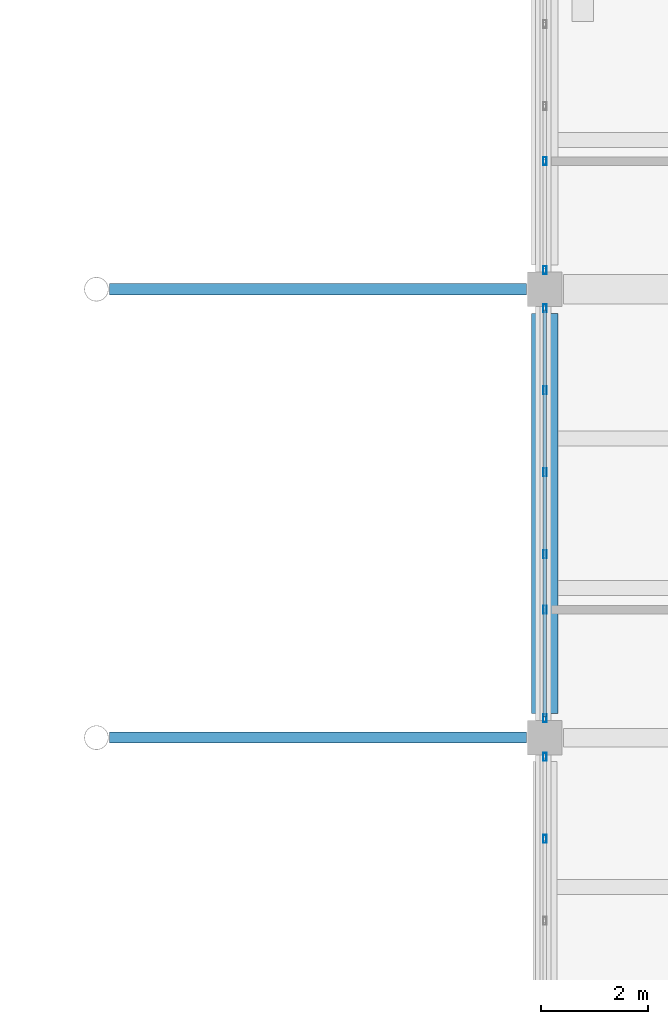
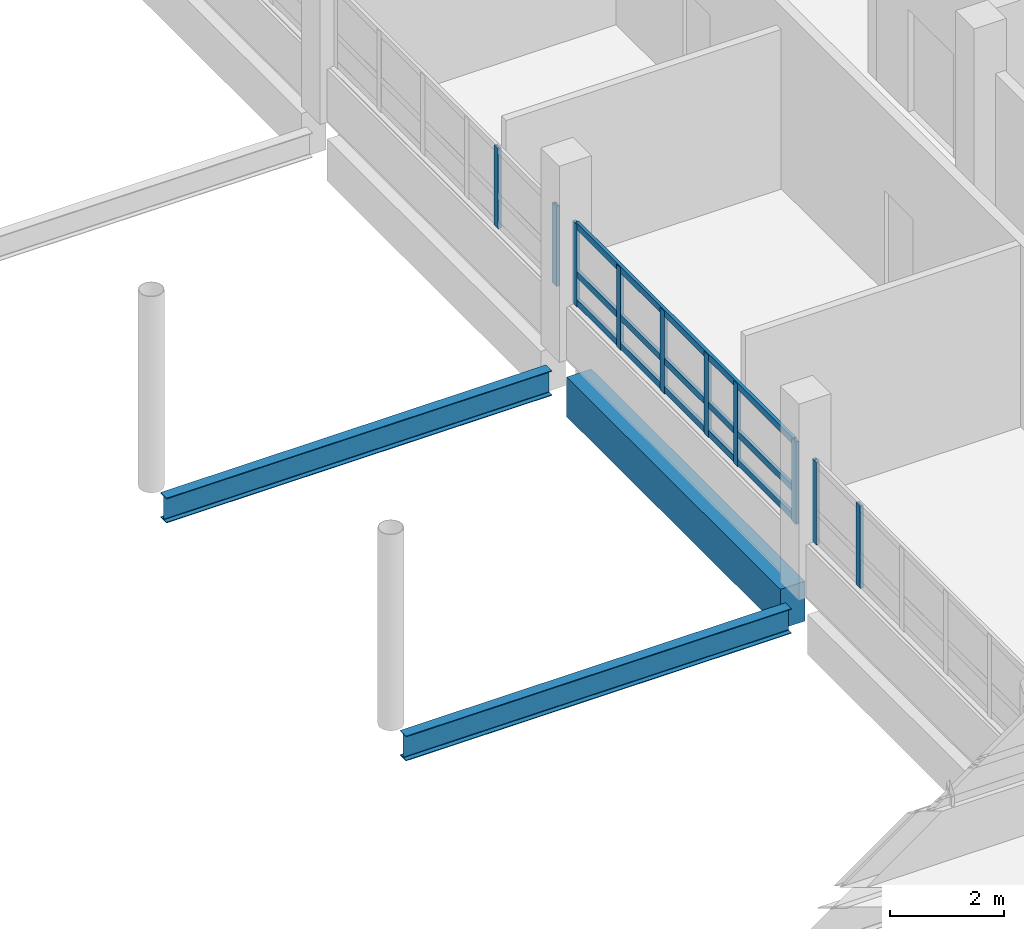
# One storey, part 28 of 101: 13 members, 3 beams, 3 elements without a shape of their own.
"""IFC4 building model written with IfcOpenShell, lengths in metres."""

from ifc_helpers import new_model, si_unit, direction, frame, origin, origin_2d, place, context, subcontext, project, spatial, rectangle, hollow_rectangle, i_section, extrude, material, layer, layer_set, material_profile, profile_set, type_object, element, aggregate, save


model = new_model("IFC4")

# Units and contexts
model_context = context("Model", 3, precision=1e-05, world=origin(), true_north=direction((0.0, 1.0)))
body_context = subcontext(model_context, "Body", "Model", "MODEL_VIEW")
ifc_project = project(units=[si_unit("LENGTHUNIT", "METRE"), si_unit("AREAUNIT", "SQUARE_METRE"), si_unit("VOLUMEUNIT", "CUBIC_METRE"), si_unit("PLANEANGLEUNIT", "RADIAN"), si_unit("MASSUNIT", "GRAM", prefix="KILO")], contexts=[model_context])

# Site, building, storey
site_placement = place(None, origin())
site = spatial("IfcSite", under=ifc_project, at=site_placement, CompositionType="ELEMENT")
building_placement = place(site_placement, origin())
building = spatial("IfcBuilding", under=site, at=building_placement, Name="Vireocrest Preparatory School", CompositionType="ELEMENT")
storey_placement = place(building_placement, frame((0.0, 0.0, 4.800048828125)))
storey = spatial("IfcBuildingStorey", under=building, at=storey_placement, Name="L01", CompositionType="ELEMENT", Elevation=4.800048828125)

# Curtain wall, members
ifc_material_1 = material(Name="Thermally broken aluminium EN AW-6063-T6", Category="aluminium")
ifc_layer = layer(ifc_material_1, 0.179931640625)
ifc_layer_set = layer_set([ifc_layer], Name="Thermally broken aluminium EN AW-6063-T6")
curtain_wall_type = type_object("IfcCurtainWallType", Name="Court Banded Curtain Wall 8400x3000", PredefinedType="USERDEFINED", material=ifc_layer_set)
curtain_wall_1_placement = place(storey_placement, origin())
curtain_wall_1 = element("IfcCurtainWall", 1, at=curtain_wall_1_placement, inside=storey, type_object=curtain_wall_type, Name="Curtain Wall CW02 CW_L01_CW02_0924_0273_060", ObjectType="CURTAIN WALL", PredefinedType="USERDEFINED")
ifc_material_profile_1 = material_profile(ifc_material_1, hollow_rectangle(XDim=0.06494140625, YDim=0.14990234375, WallThickness=0.00390625, at=origin_2d()), Name="ALU 65x150x4")
ifc_profile_set_1 = profile_set([ifc_material_profile_1], Name="Thermally broken aluminium EN AW-6063-T6")
member_type_1 = type_object("IfcMemberType", Name="CW Mullion 65x150x4", PredefinedType="MULLION", material=ifc_profile_set_1)
member_1_placement = place(storey_placement, frame((92.39990234375, 33.50390625, 1.14990234375), z_axis=(0.0, 0.0, 1.0), x_axis=(1.0, 0.0, 0.0)))
member_1 = element("IfcMember", 2, at=member_1_placement, type_object=member_type_1, Name="CW Mullion ML1 CW_L01_CW02_0924_0273_060-5", PredefinedType="MULLION", context=body_context, shape_type="SweptSolid", body=[
    extrude(hollow_rectangle(XDim=0.06494140625, YDim=0.14990234375, WallThickness=0.00390625, at=origin_2d()), origin(), (0.0, 0.0, 1.0), 1.76513671875),
])
member_2_placement = place(storey_placement, frame((92.39990234375, 35.0400390625, 1.14990234375), z_axis=(0.0, 0.0, 1.0), x_axis=(1.0, 0.0, 0.0)))
member_2 = element("IfcMember", 3, at=member_2_placement, type_object=member_type_1, Name="CW Mullion ML1 CW_L01_CW02_0924_0273_060-6", PredefinedType="MULLION", context=body_context, shape_type="SweptSolid", body=[
    extrude(hollow_rectangle(XDim=0.06494140625, YDim=0.14990234375, WallThickness=0.00390625, at=origin_2d()), origin(), (0.0, 0.0, 1.0), 1.76513671875),
])
aggregate(curtain_wall_1, [member_1, member_2])

curtain_wall_2_placement = place(storey_placement, origin())
curtain_wall_2 = element("IfcCurtainWall", 4, at=curtain_wall_2_placement, inside=storey, type_object=curtain_wall_type, Name="Curtain Wall CW02 CW_L01_CW02_0924_0357_060", ObjectType="CURTAIN WALL", PredefinedType="USERDEFINED")
member_3_placement = place(storey_placement, frame((92.39990234375, 35.760009765625, 1.14990234375), z_axis=(0.0, 0.0, 1.0), x_axis=(1.0, 0.0, 0.0)))
member_3 = element("IfcMember", 5, at=member_3_placement, type_object=member_type_1, Name="CW Mullion ML1 CW_L01_CW02_0924_0357_060-1", PredefinedType="MULLION", context=body_context, shape_type="SweptSolid", body=[
    extrude(hollow_rectangle(XDim=0.06494140625, YDim=0.14990234375, WallThickness=0.00390625, at=origin_2d()), origin(), (0.0, 0.0, 1.0), 1.76513671875),
])
member_4_placement = place(storey_placement, frame((92.39990234375, 37.800048828125, 1.14990234375), z_axis=(0.0, 0.0, 1.0), x_axis=(1.0, 0.0, 0.0)))
member_4 = element("IfcMember", 6, at=member_4_placement, type_object=member_type_1, Name="CW Mullion ML1 CW_L01_CW02_0924_0357_060-2", PredefinedType="MULLION", context=body_context, shape_type="SweptSolid", body=[
    extrude(hollow_rectangle(XDim=0.06494140625, YDim=0.14990234375, WallThickness=0.00390625, at=origin_2d()), origin(), (0.0, 0.0, 1.0), 1.76513671875),
])
member_5_placement = place(storey_placement, frame((92.39990234375, 38.83203125, 1.14990234375), z_axis=(0.0, 0.0, 1.0), x_axis=(1.0, 0.0, 0.0)))
member_5 = element("IfcMember", 7, at=member_5_placement, type_object=member_type_1, Name="CW Mullion ML1 CW_L01_CW02_0924_0357_060-3", PredefinedType="MULLION", context=body_context, shape_type="SweptSolid", body=[
    extrude(hollow_rectangle(XDim=0.06494140625, YDim=0.14990234375, WallThickness=0.00390625, at=origin_2d()), origin(), (0.0, 0.0, 1.0), 1.76513671875),
])
member_6_placement = place(storey_placement, frame((92.39990234375, 40.367919921875, 1.14990234375), z_axis=(0.0, 0.0, 1.0), x_axis=(1.0, 0.0, 0.0)))
member_6 = element("IfcMember", 8, at=member_6_placement, type_object=member_type_1, Name="CW Mullion ML1 CW_L01_CW02_0924_0357_060-4", PredefinedType="MULLION", context=body_context, shape_type="SweptSolid", body=[
    extrude(hollow_rectangle(XDim=0.06494140625, YDim=0.14990234375, WallThickness=0.00390625, at=origin_2d()), origin(), (0.0, 0.0, 1.0), 1.76513671875),
])
member_7_placement = place(storey_placement, frame((92.39990234375, 41.904052734375, 1.14990234375), z_axis=(0.0, 0.0, 1.0), x_axis=(1.0, 0.0, 0.0)))
member_7 = element("IfcMember", 9, at=member_7_placement, type_object=member_type_1, Name="CW Mullion ML1 CW_L01_CW02_0924_0357_060-5", PredefinedType="MULLION", context=body_context, shape_type="SweptSolid", body=[
    extrude(hollow_rectangle(XDim=0.06494140625, YDim=0.14990234375, WallThickness=0.00390625, at=origin_2d()), origin(), (0.0, 0.0, 1.0), 1.76513671875),
])
member_8_placement = place(storey_placement, frame((92.39990234375, 43.43994140625, 1.14990234375), z_axis=(0.0, 0.0, 1.0), x_axis=(1.0, 0.0, 0.0)))
member_8 = element("IfcMember", 10, at=member_8_placement, type_object=member_type_1, Name="CW Mullion ML1 CW_L01_CW02_0924_0357_060-6", PredefinedType="MULLION", context=body_context, shape_type="SweptSolid", body=[
    extrude(hollow_rectangle(XDim=0.06494140625, YDim=0.14990234375, WallThickness=0.00390625, at=origin_2d()), origin(), (0.0, 0.0, 1.0), 1.76513671875),
])

curtain_wall_3_placement = place(storey_placement, origin())
curtain_wall_3 = element("IfcCurtainWall", 11, at=curtain_wall_3_placement, inside=storey, type_object=curtain_wall_type, Name="Curtain Wall CW02 CW_L01_CW02_0924_0441_060", ObjectType="CURTAIN WALL", PredefinedType="USERDEFINED")
member_9_placement = place(storey_placement, frame((92.39990234375, 44.159912109375, 1.14990234375), z_axis=(0.0, 0.0, 1.0), x_axis=(1.0, 0.0, 0.0)))
member_9 = element("IfcMember", 12, at=member_9_placement, type_object=member_type_1, Name="CW Mullion ML1 CW_L01_CW02_0924_0441_060-1", PredefinedType="MULLION", context=body_context, shape_type="SweptSolid", body=[
    extrude(hollow_rectangle(XDim=0.06494140625, YDim=0.14990234375, WallThickness=0.00390625, at=origin_2d()), origin(), (0.0, 0.0, 1.0), 1.715087890625),
])
member_10_placement = place(storey_placement, frame((92.39990234375, 46.199951171875, 1.14990234375), z_axis=(0.0, 0.0, 1.0), x_axis=(1.0, 0.0, 0.0)))
member_10 = element("IfcMember", 13, at=member_10_placement, type_object=member_type_1, Name="CW Mullion ML1 CW_L01_CW02_0924_0441_060-2", PredefinedType="MULLION", context=body_context, shape_type="SweptSolid", body=[
    extrude(hollow_rectangle(XDim=0.06494140625, YDim=0.14990234375, WallThickness=0.00390625, at=origin_2d()), origin(), (0.0, 0.0, 1.0), 1.715087890625),
])
aggregate(curtain_wall_3, [member_9, member_10])

# Member
ifc_material_profile_2 = material_profile(ifc_material_1, hollow_rectangle(XDim=0.06494140625, YDim=0.139892578125, WallThickness=0.00390625, at=origin_2d()), Name="ALU 65x140x4")
ifc_profile_set_2 = profile_set([ifc_material_profile_2], Name="Thermally broken aluminium EN AW-6063-T6")
member_type_2 = type_object("IfcMemberType", Name="CW Transom 65x140x4", PredefinedType="USERDEFINED", material=ifc_profile_set_2)
member_11_placement = place(storey_placement, frame((92.39990234375, 35.784912109375, 1.244873046875), z_axis=(0.0, 1.0, 0.0), x_axis=(-1.0, 0.0, 0.0)))
member_11 = element("IfcMember", 14, at=member_11_placement, type_object=member_type_2, Name="CW Transom TR1 CW_L01_CW02_0924_0357_060-1", ObjectType="TRANSOM", PredefinedType="USERDEFINED", context=body_context, shape_type="SweptSolid", body=[
    extrude(hollow_rectangle(XDim=0.06494140625, YDim=0.139892578125, WallThickness=0.00390625, at=origin_2d()), origin(), (0.0, 0.0, 1.0), 7.630126953125),
])

member_12_placement = place(storey_placement, frame((92.39990234375, 35.784912109375, 1.849853515625), z_axis=(0.0, 1.0, 0.0), x_axis=(-1.0, 0.0, 0.0)))
member_12 = element("IfcMember", 15, at=member_12_placement, type_object=member_type_2, Name="CW Transom TR1 CW_L01_CW02_0924_0357_060-2", ObjectType="TRANSOM", PredefinedType="USERDEFINED", context=body_context, shape_type="SweptSolid", body=[
    extrude(hollow_rectangle(XDim=0.06494140625, YDim=0.139892578125, WallThickness=0.00390625, at=origin_2d()), origin(), (0.0, 0.0, 1.0), 7.630126953125),
])

member_13_placement = place(storey_placement, frame((92.39990234375, 35.784912109375, 2.875), z_axis=(0.0, 1.0, 0.0), x_axis=(-1.0, 0.0, 0.0)))
member_13 = element("IfcMember", 16, at=member_13_placement, type_object=member_type_2, Name="CW Transom TR1 CW_L01_CW02_0924_0357_060-3", ObjectType="TRANSOM", PredefinedType="USERDEFINED", context=body_context, shape_type="SweptSolid", body=[
    extrude(hollow_rectangle(XDim=0.06494140625, YDim=0.139892578125, WallThickness=0.00390625, at=origin_2d()), origin(), (0.0, 0.0, 1.0), 7.630126953125),
])

aggregate(curtain_wall_2, [member_3, member_4, member_5, member_6, member_7, member_8, member_11, member_12, member_13])

# Beams
ifc_material_2 = material(Name="Structural steel ASTM A992 Grade 50", Category="steel")
ifc_material_profile_3 = material_profile(ifc_material_2, i_section(OverallWidth=0.208984375, OverallDepth=0.532958984375, WebThickness=0.01025390625, FlangeThickness=0.015625, FilletRadius=0.014892578125, at=origin_2d()), Name="W21X62")
ifc_profile_set_3 = profile_set([ifc_material_profile_3], Name="Structural steel ASTM A992 Grade 50")
beam_type_1 = type_object("IfcBeamType", Name="Court Tie Girder W21X62", PredefinedType="BEAM", material=ifc_profile_set_3)
for number, where, z_axis, x_axis, name in (
    (17, (84.2490234375, 35.39990234375, -0.566650390625), (1.0, 0.0, 0.0), (0.0, 1.0, 0.0), "Court Trunk Lateral Tie Girder SB5 E2 L01"),
    (18, (84.2490234375, 43.800048828125, -0.566650390625), (1.0, 0.0, 0.0), (0.0, 1.0, 0.0), "Court Trunk Lateral Tie Girder SB5 E3 L01"),
):
    element("IfcBeam", number, at=place(storey_placement, frame(where, z_axis=z_axis, x_axis=x_axis)), inside=storey, type_object=beam_type_1, Name=name, PredefinedType="BEAM", context=body_context, shape_type="SweptSolid", body=[
        extrude(i_section(OverallWidth=0.208984375, OverallDepth=0.532958984375, WebThickness=0.01025390625, FlangeThickness=0.015625, FilletRadius=0.014892578125, at=origin_2d()), origin(), (0.0, 0.0, 1.0), 7.805908203125),
    ])
ifc_material_3 = material(Name="Concrete 40 MPa", Category="concrete")
ifc_material_profile_4 = material_profile(ifc_material_3, rectangle(XDim=0.5, YDim=0.85009765625, at=origin_2d()), Name="RC 500x850")
ifc_profile_set_4 = profile_set([ifc_material_profile_4], Name="Concrete 40 MPa")
beam_type_2 = type_object("IfcBeamType", Name="RC Podium Girder 500x850", PredefinedType="BEAM", material=ifc_profile_set_4)
beam_placement = place(storey_placement, frame((92.39990234375, 35.85009765625, -0.68505859375), z_axis=(0.0, 1.0, 0.0), x_axis=(-1.0, 0.0, 0.0)))
element("IfcBeam", 19, at=beam_placement, inside=storey, type_object=beam_type_2, Name="Primary Girder B14 L01-0439", PredefinedType="BEAM", context=body_context, shape_type="SweptSolid", body=[
    extrude(rectangle(XDim=0.5, YDim=0.85009765625, at=origin_2d()), origin(), (0.0, 0.0, 1.0), 7.5),
])

save(model, "model.ifc")
